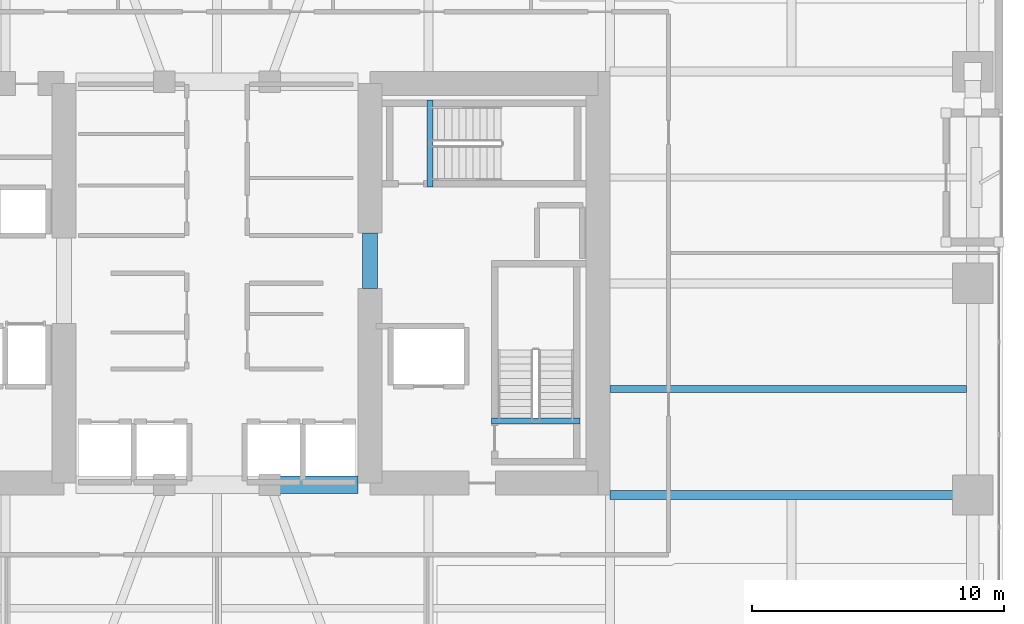
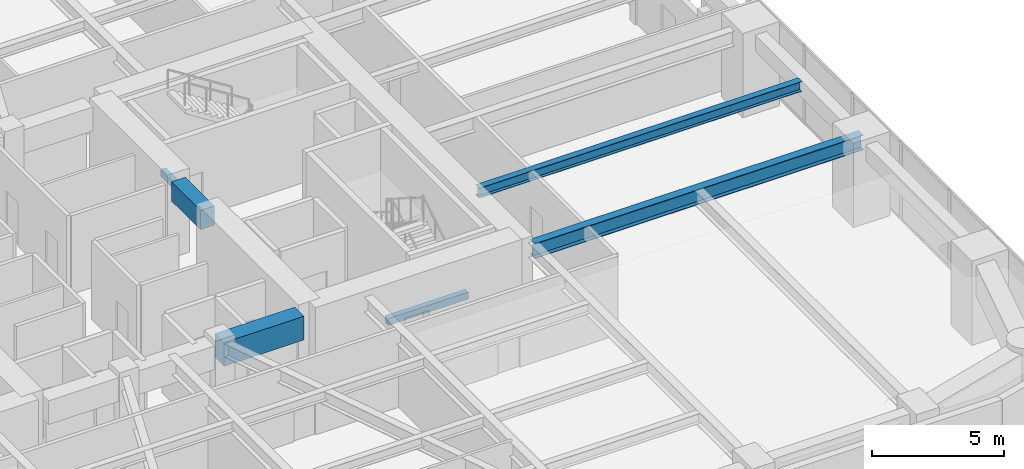
# One storey, part 7 of 28: 6 beams.
"""IFC4 building model written with IfcOpenShell, lengths in metres."""

from ifc_helpers import new_model, si_unit, direction, frame, origin, origin_2d, place, context, subcontext, project, spatial, rectangle, i_section, extrude, material, material_profile, profile_set, type_object, element, save


model = new_model("IFC4")

# Units and contexts
model_context = context("Model", 3, precision=1e-05, world=origin(), true_north=direction((0.0, 1.0)))
body_context = subcontext(model_context, "Body", "Model", "MODEL_VIEW")
ifc_project = project(units=[si_unit("LENGTHUNIT", "METRE"), si_unit("AREAUNIT", "SQUARE_METRE"), si_unit("VOLUMEUNIT", "CUBIC_METRE"), si_unit("PLANEANGLEUNIT", "RADIAN"), si_unit("MASSUNIT", "GRAM", prefix="KILO")], contexts=[model_context])

# Site, building, storey
site_placement = place(None, origin())
site = spatial("IfcSite", under=ifc_project, at=site_placement, CompositionType="ELEMENT")
building_placement = place(site_placement, origin())
building = spatial("IfcBuilding", under=site, at=building_placement, Name="Kiyonajd Concourse Tower", CompositionType="ELEMENT")
storey_placement = place(building_placement, frame((0.0, 0.0, 41.10009765625)))
storey = spatial("IfcBuildingStorey", under=building, at=storey_placement, Name="L11", CompositionType="ELEMENT", Elevation=41.10009765625)

# Beams
ifc_material_1 = material(Name="Concrete C70/85", Category="concrete")
ifc_material_profile_1 = material_profile(ifc_material_1, rectangle(XDim=0.699951171875, YDim=1.10009765625, at=origin_2d()), Name="RCBM-700x1100")
ifc_profile_set_1 = profile_set([ifc_material_profile_1], Name="Concrete C70/85")
beam_type_1 = type_object("IfcBeamType", Name="BM-COUP-1100", PredefinedType="LINTEL", material=ifc_profile_set_1)
beam_1_placement = place(storey_placement, frame((50.10009765625, 28.0, 3.08984375), z_axis=(1.0, 0.0, 0.0), x_axis=(0.0, 1.0, 0.0)))
element("IfcBeam", 1, at=beam_1_placement, inside=storey, type_object=beam_type_1, Name="L11 Core Coupling Beam S3", PredefinedType="LINTEL", context=body_context, shape_type="SweptSolid", body=[
    extrude(rectangle(XDim=0.699951171875, YDim=1.10009765625, at=origin_2d()), origin(), (0.0, 0.0, 1.0), 3.5),
])
ifc_material_2 = material(Name="Concrete C60/75", Category="concrete")
ifc_material_profile_2 = material_profile(ifc_material_2, rectangle(XDim=0.60009765625, YDim=0.89990234375, at=origin_2d()), Name="RCBM-600x900")
ifc_profile_set_2 = profile_set([ifc_material_profile_2], Name="Concrete C60/75")
beam_type_2 = type_object("IfcBeamType", Name="BM-COUP-900", PredefinedType="LINTEL", material=ifc_profile_set_2)
beam_2_placement = place(storey_placement, frame((54.074951171875, 35.800048828125, 3.08984375), z_axis=(0.0, 1.0, 0.0), x_axis=(-1.0, 0.0, 0.0)))
element("IfcBeam", 2, at=beam_2_placement, inside=storey, type_object=beam_type_2, Name="L11 East Core Throat Coupling Lintel", PredefinedType="LINTEL", context=body_context, shape_type="SweptSolid", body=[
    extrude(rectangle(XDim=0.60009765625, YDim=0.89990234375, at=origin_2d()), origin(), (0.0, 0.0, 1.0), 2.199951171875),
])
ifc_material_3 = material(Name="Steel ASTM A992 Grade 50", Category="steel")
ifc_material_profile_3 = material_profile(ifc_material_3, i_section(OverallWidth=0.280029296875, OverallDepth=0.462890625, WebThickness=0.0107421875, FlangeThickness=0.017333984375, at=origin_2d()), Name="W460X113")
ifc_profile_set_3 = profile_set([ifc_material_profile_3], Name="Steel ASTM A992 Grade 50")
beam_type_3 = type_object("IfcBeamType", Name="BM-JST-460A", PredefinedType="JOIST", material=ifc_profile_set_3)
beam_3_placement = place(storey_placement, frame((63.60009765625, 31.800048828125, 3.408447265625), z_axis=(1.0, 0.0, 0.0), x_axis=(0.0, 1.0, 0.0)))
element("IfcBeam", 3, at=beam_3_placement, inside=storey, type_object=beam_type_3, Name="L11 East Secondary Floor Joist", PredefinedType="JOIST", context=body_context, shape_type="SweptSolid", body=[
    extrude(i_section(OverallWidth=0.280029296875, OverallDepth=0.462890625, WebThickness=0.0107421875, FlangeThickness=0.017333984375, at=origin_2d()), origin(), (0.0, 0.0, 1.0), 14.14990234375),
])
ifc_material_4 = material(Name="Concrete C50/60", Category="concrete")
ifc_material_profile_4 = material_profile(ifc_material_4, rectangle(XDim=0.239990234375, YDim=0.320068359375, at=origin_2d()), Name="RCBM-240x320")
ifc_profile_set_4 = profile_set([ifc_material_profile_4], Name="Concrete C50/60")
beam_type_4 = type_object("IfcBeamType", Name="BM-LNT-250", PredefinedType="LINTEL", material=ifc_profile_set_4)
beam_4_placement = place(storey_placement, frame((58.889892578125, 30.530029296875, -0.16015625), z_axis=(1.0, 0.0, 0.0), x_axis=(0.0, 1.0, 0.0)))
element("IfcBeam", 4, at=beam_4_placement, inside=storey, type_object=beam_type_4, Name="L11 Stair ST2 Threshold Support Beam", PredefinedType="LINTEL", context=body_context, shape_type="SweptSolid", body=[
    extrude(rectangle(XDim=0.239990234375, YDim=0.320068359375, at=origin_2d()), origin(), (0.0, 0.0, 1.0), 3.52001953125),
])
beam_5_placement = place(storey_placement, frame((56.4599609375, 39.820068359375, -0.16015625), z_axis=(0.0, 1.0, 0.0), x_axis=(-1.0, 0.0, 0.0)))
element("IfcBeam", 5, at=beam_5_placement, inside=storey, type_object=beam_type_4, Name="L11 Stair ST3 Threshold Support Beam", PredefinedType="LINTEL", context=body_context, shape_type="SweptSolid", body=[
    extrude(rectangle(XDim=0.239990234375, YDim=0.320068359375, at=origin_2d()), origin(), (0.0, 0.0, 1.0), 3.4599609375),
])
ifc_material_profile_5 = material_profile(ifc_material_3, i_section(OverallWidth=0.35498046875, OverallDepth=0.695068359375, WebThickness=0.015380859375, FlangeThickness=0.02490234375, at=origin_2d()), Name="W690X217")
ifc_profile_set_5 = profile_set([ifc_material_profile_5], Name="Steel ASTM A992 Grade 50")
beam_type_5 = type_object("IfcBeamType", Name="BM-TWR-690", PredefinedType="BEAM", material=ifc_profile_set_5)
beam_6_placement = place(storey_placement, frame((63.60009765625, 27.60009765625, 3.29248046875), z_axis=(1.0, 0.0, 0.0), x_axis=(0.0, 1.0, 0.0)))
element("IfcBeam", 6, at=beam_6_placement, inside=storey, type_object=beam_type_5, Name="L11 East Lease Girder", PredefinedType="BEAM", context=body_context, shape_type="SweptSolid", body=[
    extrude(i_section(OverallWidth=0.35498046875, OverallDepth=0.695068359375, WebThickness=0.015380859375, FlangeThickness=0.02490234375, at=origin_2d()), origin(), (0.0, 0.0, 1.0), 14.39990234375),
])

save(model, "model.ifc")
